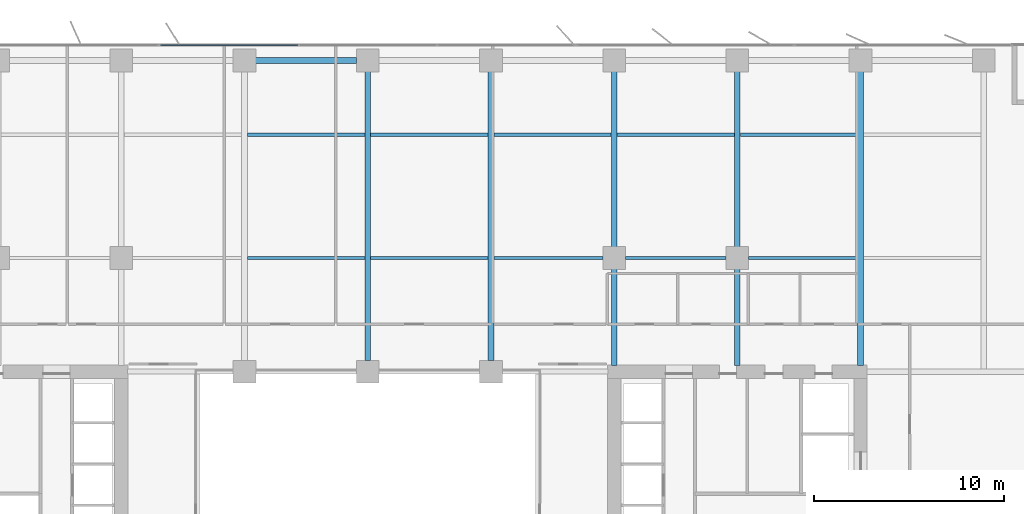
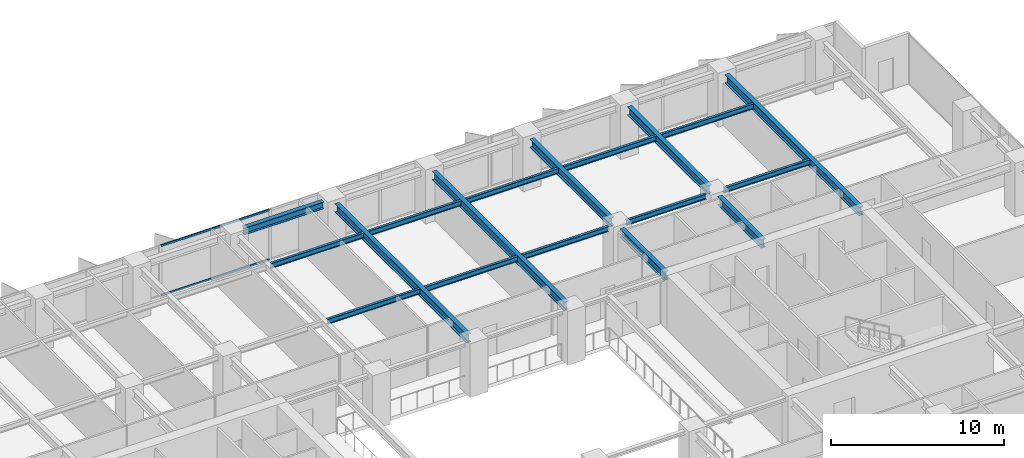
# One storey, part 8 of 20: 18 beams, 2 members, 1 element without a shape of its own.
"""IFC4 building model written with IfcOpenShell, lengths in metres."""

from ifc_helpers import new_model, si_unit, direction, frame, origin, origin_2d, place, context, subcontext, project, spatial, rectangle, i_section, extrude, material, layer, layer_set, material_profile, profile_set, type_object, element, aggregate, save


model = new_model("IFC4")

# Units and contexts
model_context = context("Model", 3, precision=1e-05, world=origin(), true_north=direction((0.0, 1.0)))
body_context = subcontext(model_context, "Body", "Model", "MODEL_VIEW")
ifc_project = project(units=[si_unit("LENGTHUNIT", "METRE"), si_unit("AREAUNIT", "SQUARE_METRE"), si_unit("VOLUMEUNIT", "CUBIC_METRE"), si_unit("PLANEANGLEUNIT", "RADIAN"), si_unit("MASSUNIT", "GRAM", prefix="KILO")], contexts=[model_context])

# Site, building, storey
site_placement = place(None, origin())
site = spatial("IfcSite", under=ifc_project, at=site_placement, CompositionType="ELEMENT")
building_placement = place(site_placement, origin())
building = spatial("IfcBuilding", under=site, at=building_placement, Name="Putna Gate Headquarters", CompositionType="ELEMENT")
storey_placement = place(building_placement, frame((0.0, 0.0, 131.60009765625)))
storey = spatial("IfcBuildingStorey", under=building, at=storey_placement, Name="L32", CompositionType="ELEMENT", Elevation=131.60009765625)

# Beams
ifc_material_1 = material(Name="Steel S355J2", Category="steel")
ifc_material_profile_1 = material_profile(ifc_material_1, i_section(OverallWidth=0.300048828125, OverallDepth=0.60009765625, WebThickness=0.015380859375, FlangeThickness=0.030029296875, at=origin_2d()), Name="Steel S355J2")
ifc_profile_set_1 = profile_set([ifc_material_profile_1], Name="Steel S355J2")
beam_type_1 = type_object("IfcBeamType", Name="BM-GIRD-Z2-HEB600", PredefinedType="USERDEFINED", material=ifc_profile_set_1)
for number, where, z_axis, x_axis, name in (
    (1, (39.0, 33.587890625, 3.264892578125), (0.0, 1.0, 0.0), (-1.0, 0.0, 0.0), "L32 North Primary Girder X39"),
    (2, (45.5, 33.587890625, 3.264892578125), (0.0, 1.0, 0.0), (-1.0, 0.0, 0.0), "L32 North Primary Girder X45"),
):
    element("IfcBeam", number, at=place(storey_placement, frame(where, z_axis=z_axis, x_axis=x_axis)), inside=storey, type_object=beam_type_1, Name=name, ObjectType="GIRDER", PredefinedType="USERDEFINED", context=body_context, shape_type="SweptSolid", body=[
        extrude(i_section(OverallWidth=0.300048828125, OverallDepth=0.60009765625, WebThickness=0.015380859375, FlangeThickness=0.030029296875, at=origin_2d()), origin(), (0.0, 0.0, 1.0), 15.244140625),
    ])
beam_1_placement = place(storey_placement, frame((52.0, 33.3349609375, 3.264892578125), z_axis=(0.0, 1.0, 0.0), x_axis=(-1.0, 0.0, 0.0)))
element("IfcBeam", 3, at=beam_1_placement, inside=storey, type_object=beam_type_1, Name="L32 North Primary Girder X52-1", ObjectType="GIRDER", PredefinedType="USERDEFINED", context=body_context, shape_type="SweptSolid", body=[
    extrude(i_section(OverallWidth=0.300048828125, OverallDepth=0.60009765625, WebThickness=0.015380859375, FlangeThickness=0.030029296875, at=origin_2d()), origin(), (0.0, 0.0, 1.0), 5.0771484375),
])
beam_2_placement = place(storey_placement, frame((52.0, 39.587890625, 3.264892578125), z_axis=(0.0, 1.0, 0.0), x_axis=(-1.0, 0.0, 0.0)))
element("IfcBeam", 4, at=beam_2_placement, inside=storey, type_object=beam_type_1, Name="L32 North Primary Girder X52-2", ObjectType="GIRDER", PredefinedType="USERDEFINED", context=body_context, shape_type="SweptSolid", body=[
    extrude(i_section(OverallWidth=0.300048828125, OverallDepth=0.60009765625, WebThickness=0.015380859375, FlangeThickness=0.030029296875, at=origin_2d()), origin(), (0.0, 0.0, 1.0), 9.244140625),
])
beam_3_placement = place(storey_placement, frame((58.5, 33.3349609375, 3.264892578125), z_axis=(0.0, 1.0, 0.0), x_axis=(-1.0, 0.0, 0.0)))
element("IfcBeam", 5, at=beam_3_placement, inside=storey, type_object=beam_type_1, Name="L32 North Primary Girder X58-1", ObjectType="GIRDER", PredefinedType="USERDEFINED", context=body_context, shape_type="SweptSolid", body=[
    extrude(i_section(OverallWidth=0.300048828125, OverallDepth=0.60009765625, WebThickness=0.015380859375, FlangeThickness=0.030029296875, at=origin_2d()), origin(), (0.0, 0.0, 1.0), 5.0771484375),
])
beam_4_placement = place(storey_placement, frame((58.5, 39.587890625, 3.264892578125), z_axis=(0.0, 1.0, 0.0), x_axis=(-1.0, 0.0, 0.0)))
element("IfcBeam", 6, at=beam_4_placement, inside=storey, type_object=beam_type_1, Name="L32 North Primary Girder X58-2", ObjectType="GIRDER", PredefinedType="USERDEFINED", context=body_context, shape_type="SweptSolid", body=[
    extrude(i_section(OverallWidth=0.300048828125, OverallDepth=0.60009765625, WebThickness=0.015380859375, FlangeThickness=0.030029296875, at=origin_2d()), origin(), (0.0, 0.0, 1.0), 9.244140625),
])
beam_5_placement = place(storey_placement, frame((65.0, 33.3349609375, 3.264892578125), z_axis=(0.0, 1.0, 0.0), x_axis=(-1.0, 0.0, 0.0)))
element("IfcBeam", 7, at=beam_5_placement, inside=storey, type_object=beam_type_1, Name="L32 North Primary Girder X65", ObjectType="GIRDER", PredefinedType="USERDEFINED", context=body_context, shape_type="SweptSolid", body=[
    extrude(i_section(OverallWidth=0.300048828125, OverallDepth=0.60009765625, WebThickness=0.015380859375, FlangeThickness=0.030029296875, at=origin_2d()), origin(), (0.0, 0.0, 1.0), 15.4970703125),
])
ifc_material_profile_2 = material_profile(ifc_material_1, i_section(OverallWidth=0.169921875, OverallDepth=0.360107421875, WebThickness=0.008056640625, FlangeThickness=0.0126953125, at=origin_2d()), Name="Steel S355J2")
ifc_profile_set_2 = profile_set([ifc_material_profile_2], Name="Steel S355J2")
beam_type_2 = type_object("IfcBeamType", Name="BM-SEC-Z2-IPE360", PredefinedType="BEAM", material=ifc_profile_set_2)
for number, where, z_axis, x_axis, name in (
    (8, (32.654052734375, 39.0, 3.385009765625), (1.0, 0.0, 0.0), (0.0, 1.0, 0.0), "L32 North Secondary Beam 5"),
    (9, (32.654052734375, 45.5, 3.385009765625), (1.0, 0.0, 0.0), (0.0, 1.0, 0.0), "L32 North Secondary Beam 5"),
    (10, (39.154052734375, 39.0, 3.385009765625), (1.0, 0.0, 0.0), (0.0, 1.0, 0.0), "L32 North Secondary Beam 6"),
    (11, (39.154052734375, 45.5, 3.385009765625), (1.0, 0.0, 0.0), (0.0, 1.0, 0.0), "L32 North Secondary Beam 6"),
):
    element("IfcBeam", number, at=place(storey_placement, frame(where, z_axis=z_axis, x_axis=x_axis)), inside=storey, type_object=beam_type_2, Name=name, PredefinedType="BEAM", context=body_context, shape_type="SweptSolid", body=[
        extrude(i_section(OverallWidth=0.169921875, OverallDepth=0.360107421875, WebThickness=0.008056640625, FlangeThickness=0.0126953125, at=origin_2d()), origin(), (0.0, 0.0, 1.0), 6.19189453125),
    ])
beam_6_placement = place(storey_placement, frame((45.654052734375, 39.0, 3.385009765625), z_axis=(1.0, 0.0, 0.0), x_axis=(0.0, 1.0, 0.0)))
element("IfcBeam", 12, at=beam_6_placement, inside=storey, type_object=beam_type_2, Name="L32 North Secondary Beam 7", PredefinedType="BEAM", context=body_context, shape_type="SweptSolid", body=[
    extrude(i_section(OverallWidth=0.169921875, OverallDepth=0.360107421875, WebThickness=0.008056640625, FlangeThickness=0.0126953125, at=origin_2d()), origin(), (0.0, 0.0, 1.0), 5.758056640625),
])
beam_7_placement = place(storey_placement, frame((45.654052734375, 45.5, 3.385009765625), z_axis=(1.0, 0.0, 0.0), x_axis=(0.0, 1.0, 0.0)))
element("IfcBeam", 13, at=beam_7_placement, inside=storey, type_object=beam_type_2, Name="L32 North Secondary Beam 7", PredefinedType="BEAM", context=body_context, shape_type="SweptSolid", body=[
    extrude(i_section(OverallWidth=0.169921875, OverallDepth=0.360107421875, WebThickness=0.008056640625, FlangeThickness=0.0126953125, at=origin_2d()), origin(), (0.0, 0.0, 1.0), 6.19189453125),
])
beam_8_placement = place(storey_placement, frame((52.587890625, 39.0, 3.385009765625), z_axis=(1.0, 0.0, 0.0), x_axis=(0.0, 1.0, 0.0)))
element("IfcBeam", 14, at=beam_8_placement, inside=storey, type_object=beam_type_2, Name="L32 North Secondary Beam 8", PredefinedType="BEAM", context=body_context, shape_type="SweptSolid", body=[
    extrude(i_section(OverallWidth=0.169921875, OverallDepth=0.360107421875, WebThickness=0.008056640625, FlangeThickness=0.0126953125, at=origin_2d()), origin(), (0.0, 0.0, 1.0), 5.32421875),
])
beam_9_placement = place(storey_placement, frame((52.154052734375, 45.5, 3.385009765625), z_axis=(1.0, 0.0, 0.0), x_axis=(0.0, 1.0, 0.0)))
element("IfcBeam", 15, at=beam_9_placement, inside=storey, type_object=beam_type_2, Name="L32 North Secondary Beam 8", PredefinedType="BEAM", context=body_context, shape_type="SweptSolid", body=[
    extrude(i_section(OverallWidth=0.169921875, OverallDepth=0.360107421875, WebThickness=0.008056640625, FlangeThickness=0.0126953125, at=origin_2d()), origin(), (0.0, 0.0, 1.0), 6.19189453125),
])
beam_10_placement = place(storey_placement, frame((59.087890625, 39.0, 3.385009765625), z_axis=(1.0, 0.0, 0.0), x_axis=(0.0, 1.0, 0.0)))
element("IfcBeam", 16, at=beam_10_placement, inside=storey, type_object=beam_type_2, Name="L32 North Secondary Beam 9", PredefinedType="BEAM", context=body_context, shape_type="SweptSolid", body=[
    extrude(i_section(OverallWidth=0.169921875, OverallDepth=0.360107421875, WebThickness=0.008056640625, FlangeThickness=0.0126953125, at=origin_2d()), origin(), (0.0, 0.0, 1.0), 5.758056640625),
])
beam_11_placement = place(storey_placement, frame((58.654052734375, 45.5, 3.385009765625), z_axis=(1.0, 0.0, 0.0), x_axis=(0.0, 1.0, 0.0)))
element("IfcBeam", 17, at=beam_11_placement, inside=storey, type_object=beam_type_2, Name="L32 North Secondary Beam 9", PredefinedType="BEAM", context=body_context, shape_type="SweptSolid", body=[
    extrude(i_section(OverallWidth=0.169921875, OverallDepth=0.360107421875, WebThickness=0.008056640625, FlangeThickness=0.0126953125, at=origin_2d()), origin(), (0.0, 0.0, 1.0), 6.19189453125),
])
ifc_material_profile_3 = material_profile(ifc_material_1, i_section(OverallWidth=0.300048828125, OverallDepth=0.489990234375, WebThickness=0.011962890625, FlangeThickness=0.02294921875, at=origin_2d()), Name="Steel S355J2")
ifc_profile_set_3 = profile_set([ifc_material_profile_3], Name="Steel S355J2")
beam_type_3 = type_object("IfcBeamType", Name="BM-SPAN-Z2-HEA500", PredefinedType="SPANDREL", material=ifc_profile_set_3)
beam_12_placement = place(storey_placement, frame((33.087890625, 49.419921875, 3.31982421875), z_axis=(1.0, 0.0, 0.0), x_axis=(0.0, 1.0, 0.0)))
element("IfcBeam", 18, at=beam_12_placement, inside=storey, type_object=beam_type_3, Name="L32 N Perimeter Spandrel 5", PredefinedType="SPANDREL", context=body_context, shape_type="SweptSolid", body=[
    extrude(i_section(OverallWidth=0.300048828125, OverallDepth=0.489990234375, WebThickness=0.011962890625, FlangeThickness=0.02294921875, at=origin_2d()), origin(), (0.0, 0.0, 1.0), 5.32421875),
])

# Curtain wall, members
ifc_material_2 = material(Name="Anodised bronze aluminium curtain wall", Category="aluminium")
ifc_layer = layer(ifc_material_2, 0.179931640625)
ifc_layer_set = layer_set([ifc_layer], Name="Anodised bronze aluminium curtain wall")
curtain_wall_type = type_object("IfcCurtainWallType", Name="CW-SYS-ATR", PredefinedType="USERDEFINED", material=ifc_layer_set)
curtain_wall_placement = place(storey_placement, origin())
curtain_wall = element("IfcCurtainWall", 19, at=curtain_wall_placement, inside=storey, type_object=curtain_wall_type, Name="L32 North Atrium Clear Glazing", ObjectType="ATRIUM GLAZING", PredefinedType="USERDEFINED")
ifc_material_3 = material(Name="Anodised bronze aluminium EN AW-6060", Category="aluminium")
ifc_material_profile_4 = material_profile(ifc_material_3, rectangle(XDim=0.070068359375, YDim=0.139892578125, at=origin_2d()), Name="Anodised bronze aluminium EN AW-6060")
ifc_profile_set_4 = profile_set([ifc_material_profile_4], Name="Anodised bronze aluminium EN AW-6060")
member_type = type_object("IfcMemberType", Name="TRAN-CWT-AT", PredefinedType="USERDEFINED", material=ifc_profile_set_4)
member_1_placement = place(storey_placement, frame((28.070068359375, 50.219970703125, 0.034912109375), z_axis=(1.0, 0.0, 0.0), x_axis=(0.0, 1.0, 0.0)))
member_1 = element("IfcMember", 20, at=member_1_placement, type_object=member_type, Name="CWS-AT transom 1.1", ObjectType="TRANSOM", PredefinedType="USERDEFINED", context=body_context, shape_type="SweptSolid", body=[
    extrude(rectangle(XDim=0.070068359375, YDim=0.139892578125, at=origin_2d()), origin(), (0.0, 0.0, 1.0), 7.228271484375),
])
member_2_placement = place(storey_placement, frame((28.070068359375, 50.219970703125, 3.52978515625), z_axis=(1.0, 0.0, 0.0), x_axis=(0.0, 1.0, 0.0)))
member_2 = element("IfcMember", 21, at=member_2_placement, type_object=member_type, Name="CWS-AT transom 1.2", ObjectType="TRANSOM", PredefinedType="USERDEFINED", context=body_context, shape_type="SweptSolid", body=[
    extrude(rectangle(XDim=0.070068359375, YDim=0.139892578125, at=origin_2d()), origin(), (0.0, 0.0, 1.0), 7.228271484375),
])
aggregate(curtain_wall, [member_1, member_2])

save(model, "model.ifc")
